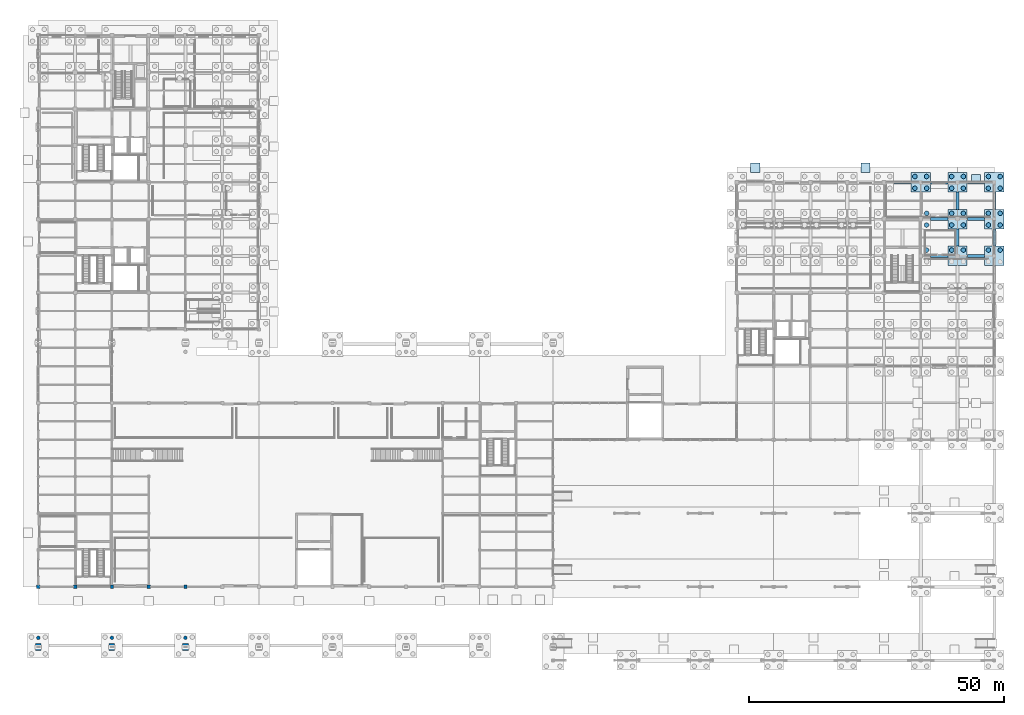
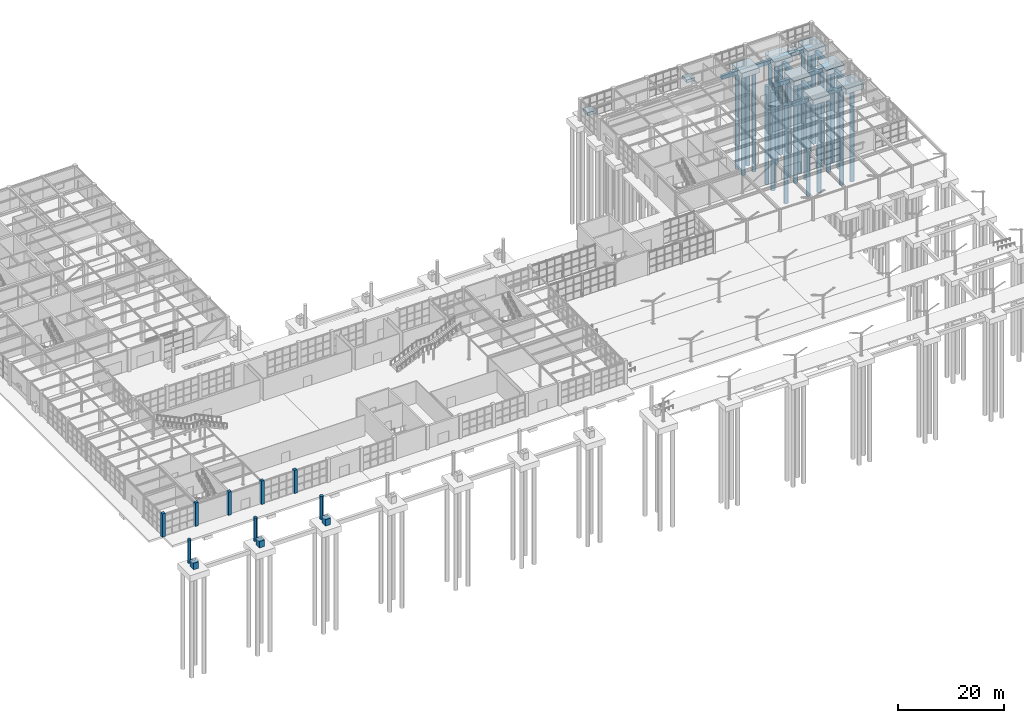
# One storey, part 4 of 75: 27 piles, 21 footings, 11 columns.
"""IFC4 building model written with IfcOpenShell, lengths in metres."""

from ifc_helpers import new_model, si_unit, direction, frame, origin, origin_2d, place, context, subcontext, project, spatial, rectangle, circle, extrude, material, material_profile, profile_set, type_object, element, save


model = new_model("IFC4")

# Units and contexts
model_context = context("Model", 3, precision=1e-05, world=origin(), true_north=direction((0.0, 1.0)))
body_context = subcontext(model_context, "Body", "Model", "MODEL_VIEW")
ifc_project = project(units=[si_unit("LENGTHUNIT", "METRE"), si_unit("AREAUNIT", "SQUARE_METRE"), si_unit("VOLUMEUNIT", "CUBIC_METRE"), si_unit("PLANEANGLEUNIT", "RADIAN"), si_unit("MASSUNIT", "GRAM", prefix="KILO")], contexts=[model_context])

# Site, building, storey
site_placement = place(None, origin())
site = spatial("IfcSite", under=ifc_project, at=site_placement, CompositionType="ELEMENT")
building_placement = place(site_placement, origin())
building = spatial("IfcBuilding", under=site, at=building_placement, Name="Leyfeld Transit Interchange", CompositionType="ELEMENT")
storey_placement = place(building_placement, origin())
storey = spatial("IfcBuildingStorey", under=building, at=storey_placement, Name="L00", CompositionType="ELEMENT", Elevation=0.0)

# Footings
ifc_material_1 = material(Name="Concrete C35/45", Category="concrete")
footing_type_1 = type_object("IfcFootingType", Name="FT-GB-500x800", PredefinedType="FOOTING_BEAM", material=ifc_material_1)
for number, where, z_axis, x_axis, name in (
    (1, (176.39990234375, 86.39990234375, -1.300048828125), (0.0, 0.0, 1.0), (1.0, 0.0, 0.0), "Ground Beam 079"),
    (2, (183.60009765625, 93.60009765625, -1.300048828125), (0.0, 0.0, 1.0), (1.0, 0.0, 0.0), "Ground Beam 105"),
):
    element("IfcFooting", number, at=place(storey_placement, frame(where, z_axis=z_axis, x_axis=x_axis)), inside=storey, type_object=footing_type_1, Name=name, PredefinedType="FOOTING_BEAM", context=body_context, shape_type="SweptSolid", body=[
        extrude(rectangle(XDim=3.3798828125, YDim=0.60009765625, at=origin_2d()), origin(), (0.0, 0.0, 1.0), 0.89990234375),
    ])
footing_type_2 = type_object("IfcFootingType", Name="FT-GB-600x900", PredefinedType="FOOTING_BEAM", material=ifc_material_1)
for number, where, z_axis, x_axis, name in (
    (3, (176.39990234375, 79.199951171875, -1.300048828125), (0.0, 0.0, 1.0), (1.0, 0.0, 0.0), "Ground Beam 078"),
    (4, (169.199951171875, 93.60009765625, -1.300048828125), (0.0, 0.0, 1.0), (1.0, 0.0, 0.0), "Ground Beam 080"),
    (5, (176.39990234375, 93.60009765625, -1.300048828125), (0.0, 0.0, 1.0), (1.0, 0.0, 0.0), "Ground Beam 092"),
):
    element("IfcFooting", number, at=place(storey_placement, frame(where, z_axis=z_axis, x_axis=x_axis)), inside=storey, type_object=footing_type_2, Name=name, PredefinedType="FOOTING_BEAM", context=body_context, shape_type="SweptSolid", body=[
        extrude(rectangle(XDim=3.3798828125, YDim=0.60009765625, at=origin_2d()), origin(), (0.0, 0.0, 1.0), 0.89990234375),
    ])
footing_1_placement = place(storey_placement, frame((180.0, 82.800048828125, -1.300048828125), z_axis=(0.0, 0.0, 1.0), x_axis=(1.0, 0.0, 0.0)))
element("IfcFooting", 6, at=footing_1_placement, inside=storey, type_object=footing_type_2, Name="Ground Beam 101", PredefinedType="FOOTING_BEAM", context=body_context, shape_type="SweptSolid", body=[
    extrude(rectangle(XDim=0.60009765625, YDim=3.3798828125, at=origin_2d()), origin(), (0.0, 0.0, 1.0), 0.89990234375),
])
footing_2_placement = place(storey_placement, frame((183.60009765625, 79.199951171875, -1.300048828125), z_axis=(0.0, 0.0, 1.0), x_axis=(1.0, 0.0, 0.0)))
element("IfcFooting", 7, at=footing_2_placement, inside=storey, type_object=footing_type_2, Name="Ground Beam 102", PredefinedType="FOOTING_BEAM", context=body_context, shape_type="SweptSolid", body=[
    extrude(rectangle(XDim=3.3798828125, YDim=0.60009765625, at=origin_2d()), origin(), (0.0, 0.0, 1.0), 0.89990234375),
])
footing_3_placement = place(storey_placement, frame((180.0, 90.0, -1.300048828125), z_axis=(0.0, 0.0, 1.0), x_axis=(1.0, 0.0, 0.0)))
element("IfcFooting", 8, at=footing_3_placement, inside=storey, type_object=footing_type_2, Name="Ground Beam 103", PredefinedType="FOOTING_BEAM", context=body_context, shape_type="SweptSolid", body=[
    extrude(rectangle(XDim=0.60009765625, YDim=3.3798828125, at=origin_2d()), origin(), (0.0, 0.0, 1.0), 0.89990234375),
])
footing_4_placement = place(storey_placement, frame((183.60009765625, 86.39990234375, -1.300048828125), z_axis=(0.0, 0.0, 1.0), x_axis=(1.0, 0.0, 0.0)))
element("IfcFooting", 9, at=footing_4_placement, inside=storey, type_object=footing_type_2, Name="Ground Beam 104", PredefinedType="FOOTING_BEAM", context=body_context, shape_type="SweptSolid", body=[
    extrude(rectangle(XDim=3.3798828125, YDim=0.60009765625, at=origin_2d()), origin(), (0.0, 0.0, 1.0), 0.89990234375),
])
for number, where, z_axis, x_axis, name in (
    (10, (187.199951171875, 82.800048828125, -1.300048828125), (0.0, 0.0, 1.0), (1.0, 0.0, 0.0), "Ground Beam 113"),
    (11, (187.199951171875, 90.0, -1.300048828125), (0.0, 0.0, 1.0), (1.0, 0.0, 0.0), "Ground Beam 114"),
):
    element("IfcFooting", number, at=place(storey_placement, frame(where, z_axis=z_axis, x_axis=x_axis)), inside=storey, type_object=footing_type_2, Name=name, PredefinedType="FOOTING_BEAM", context=body_context, shape_type="SweptSolid", body=[
        extrude(rectangle(XDim=0.60009765625, YDim=3.3798828125, at=origin_2d()), origin(), (0.0, 0.0, 1.0), 0.89990234375),
    ])
footing_type_3 = type_object("IfcFootingType", Name="FT-PAD-1800", PredefinedType="PAD_FOOTING", material=ifc_material_1)
for number, where, z_axis, x_axis, name in (
    (12, (140.39990234375, 96.449951171875, -1.14990234375), (0.0, 0.0, 1.0), (1.0, 0.0, 0.0), "Slab Support Pad Footing 047"),
    (13, (162.0, 96.449951171875, -1.14990234375), (0.0, 0.0, 1.0), (1.0, 0.0, 0.0), "Slab Support Pad Footing 048"),
    (14, (183.60009765625, 94.199951171875, -1.14990234375), (0.0, 0.0, 1.0), (1.0, 0.0, 0.0), "Slab Support Pad Footing 049"),
):
    element("IfcFooting", number, at=place(storey_placement, frame(where, z_axis=z_axis, x_axis=x_axis)), inside=storey, type_object=footing_type_3, Name=name, PredefinedType="PAD_FOOTING", context=body_context, shape_type="SweptSolid", body=[
        extrude(rectangle(XDim=1.800048828125, YDim=1.800048828125, at=origin_2d()), origin(), (0.0, 0.0, 1.0), 0.699951171875),
    ])
footing_type_4 = type_object("IfcFootingType", Name="FT-PC-3800x3800", PredefinedType="PILE_CAP", material=ifc_material_1)
for number, where, z_axis, x_axis, name in (
    (15, (172.800048828125, 93.60009765625, -1.2001953125), (0.0, 0.0, 1.0), (1.0, 0.0, 0.0), "Foundation FTG-L00-068"),
    (16, (180.0, 79.199951171875, -1.2001953125), (0.0, 0.0, 1.0), (1.0, 0.0, 0.0), "Foundation FTG-L00-073"),
    (17, (180.0, 86.39990234375, -1.2001953125), (0.0, 0.0, 1.0), (1.0, 0.0, 0.0), "Foundation FTG-L00-074"),
    (18, (180.0, 93.60009765625, -1.2001953125), (0.0, 0.0, 1.0), (1.0, 0.0, 0.0), "Foundation FTG-L00-075"),
    (19, (187.199951171875, 79.199951171875, -1.2001953125), (0.0, 0.0, 1.0), (1.0, 0.0, 0.0), "Foundation FTG-L00-083"),
    (20, (187.199951171875, 86.39990234375, -1.2001953125), (0.0, 0.0, 1.0), (1.0, 0.0, 0.0), "Foundation FTG-L00-084"),
    (21, (187.199951171875, 93.60009765625, -1.2001953125), (0.0, 0.0, 1.0), (1.0, 0.0, 0.0), "Foundation FTG-L00-085"),
):
    element("IfcFooting", number, at=place(storey_placement, frame(where, z_axis=z_axis, x_axis=x_axis)), inside=storey, type_object=footing_type_4, Name=name, PredefinedType="PILE_CAP", context=body_context, shape_type="SweptSolid", body=[
        extrude(rectangle(XDim=3.800048828125, YDim=3.800048828125, at=origin_2d()), origin(), (0.0, 0.0, 1.0), 1.199951171875),
    ])

# Piles
ifc_material_profile_1 = material_profile(ifc_material_1, circle(Radius=0.449951171875, at=origin_2d()), Name="PILE D900")
ifc_profile_set_1 = profile_set([ifc_material_profile_1], Name="Concrete C35/45")
pile_type = type_object("IfcPileType", Name="PILE-PL-900", PredefinedType="BORED", material=ifc_profile_set_1)
for number, where, z_axis, x_axis, name in (
    (22, (173.949951171875, 80.35009765625, -1.25), (0.0, 0.0, -1.0), (1.0, 0.0, 0.0), "Cap Bored Pile 0402"),
    (23, (173.949951171875, 85.25, -1.25), (0.0, 0.0, -1.0), (1.0, 0.0, 0.0), "Cap Bored Pile 0405"),
    (24, (173.949951171875, 87.550048828125, -1.25), (0.0, 0.0, -1.0), (1.0, 0.0, 0.0), "Cap Bored Pile 0406"),
):
    element("IfcPile", number, at=place(storey_placement, frame(where, z_axis=z_axis, x_axis=x_axis)), inside=storey, type_object=pile_type, Name=name, PredefinedType="BORED", context=body_context, shape_type="SweptSolid", body=[
        extrude(circle(Radius=0.449951171875, at=origin_2d()), origin(), (0.0, 0.0, 1.0), 22.75),
    ])
for number, where, z_axis, x_axis, name in (
    (25, (171.64990234375, 92.449951171875, -1.050048828125), (0.0, 0.0, -1.0), (1.0, 0.0, 0.0), "Cap Bored Pile 0435"),
    (26, (171.64990234375, 94.75, -1.050048828125), (0.0, 0.0, -1.0), (1.0, 0.0, 0.0), "Cap Bored Pile 0436"),
    (27, (173.949951171875, 92.449951171875, -1.050048828125), (0.0, 0.0, -1.0), (1.0, 0.0, 0.0), "Cap Bored Pile 0437"),
    (28, (173.949951171875, 94.75, -1.050048828125), (0.0, 0.0, -1.0), (1.0, 0.0, 0.0), "Cap Bored Pile 0438"),
    (29, (178.85009765625, 80.35009765625, -1.050048828125), (0.0, 0.0, -1.0), (1.0, 0.0, 0.0), "Cap Bored Pile 0456"),
    (30, (181.14990234375, 80.35009765625, -1.050048828125), (0.0, 0.0, -1.0), (1.0, 0.0, 0.0), "Cap Bored Pile 0458"),
    (31, (178.85009765625, 85.25, -1.050048828125), (0.0, 0.0, -1.0), (1.0, 0.0, 0.0), "Cap Bored Pile 0459"),
    (32, (178.85009765625, 87.550048828125, -1.050048828125), (0.0, 0.0, -1.0), (1.0, 0.0, 0.0), "Cap Bored Pile 0460"),
    (33, (181.14990234375, 85.25, -1.050048828125), (0.0, 0.0, -1.0), (1.0, 0.0, 0.0), "Cap Bored Pile 0461"),
    (34, (181.14990234375, 87.550048828125, -1.050048828125), (0.0, 0.0, -1.0), (1.0, 0.0, 0.0), "Cap Bored Pile 0462"),
    (35, (178.85009765625, 92.449951171875, -1.050048828125), (0.0, 0.0, -1.0), (1.0, 0.0, 0.0), "Cap Bored Pile 0463"),
    (36, (178.85009765625, 94.75, -1.050048828125), (0.0, 0.0, -1.0), (1.0, 0.0, 0.0), "Cap Bored Pile 0464"),
    (37, (181.14990234375, 92.449951171875, -1.050048828125), (0.0, 0.0, -1.0), (1.0, 0.0, 0.0), "Cap Bored Pile 0465"),
    (38, (181.14990234375, 94.75, -1.050048828125), (0.0, 0.0, -1.0), (1.0, 0.0, 0.0), "Cap Bored Pile 0466"),
    (39, (186.050048828125, 80.35009765625, -1.050048828125), (0.0, 0.0, -1.0), (1.0, 0.0, 0.0), "Cap Bored Pile 0496"),
    (40, (188.35009765625, 80.35009765625, -1.050048828125), (0.0, 0.0, -1.0), (1.0, 0.0, 0.0), "Cap Bored Pile 0498"),
    (41, (186.050048828125, 85.25, -1.050048828125), (0.0, 0.0, -1.0), (1.0, 0.0, 0.0), "Cap Bored Pile 0499"),
    (42, (186.050048828125, 87.550048828125, -1.050048828125), (0.0, 0.0, -1.0), (1.0, 0.0, 0.0), "Cap Bored Pile 0500"),
    (43, (188.35009765625, 85.25, -1.050048828125), (0.0, 0.0, -1.0), (1.0, 0.0, 0.0), "Cap Bored Pile 0501"),
    (44, (188.35009765625, 87.550048828125, -1.050048828125), (0.0, 0.0, -1.0), (1.0, 0.0, 0.0), "Cap Bored Pile 0502"),
    (45, (186.050048828125, 92.449951171875, -1.050048828125), (0.0, 0.0, -1.0), (1.0, 0.0, 0.0), "Cap Bored Pile 0503"),
    (46, (186.050048828125, 94.75, -1.050048828125), (0.0, 0.0, -1.0), (1.0, 0.0, 0.0), "Cap Bored Pile 0504"),
    (47, (188.35009765625, 92.449951171875, -1.050048828125), (0.0, 0.0, -1.0), (1.0, 0.0, 0.0), "Cap Bored Pile 0505"),
    (48, (188.35009765625, 94.75, -1.050048828125), (0.0, 0.0, -1.0), (1.0, 0.0, 0.0), "Cap Bored Pile 0506"),
):
    element("IfcPile", number, at=place(storey_placement, frame(where, z_axis=z_axis, x_axis=x_axis)), inside=storey, type_object=pile_type, Name=name, PredefinedType="BORED", context=body_context, shape_type="SweptSolid", body=[
        extrude(circle(Radius=0.449951171875, at=origin_2d()), origin(), (0.0, 0.0, 1.0), 22.949951171875),
    ])

# Columns
ifc_material_2 = material(Name="Concrete C40/50", Category="concrete")
ifc_material_profile_2 = material_profile(ifc_material_2, rectangle(XDim=1.10009765625, YDim=1.39990234375, at=origin_2d()), Name="RC 1400x1100")
ifc_profile_set_2 = profile_set([ifc_material_profile_2], Name="Concrete C40/50")
column_type_1 = type_object("IfcColumnType", Name="COL-BUTT-1400", PredefinedType="COLUMN", material=ifc_profile_set_2)
for number, where, z_axis, x_axis, name in (
    (49, (0.0, 2.60009765625, 0.0), (0.0, 0.0, 1.0), (1.0, 0.0, 0.0), "Column COL-L00-0000_0026"),
    (50, (14.39990234375, 2.60009765625, 0.0), (0.0, 0.0, 1.0), (1.0, 0.0, 0.0), "Column COL-L00-0144_0026"),
    (51, (28.800048828125, 2.60009765625, 0.0), (0.0, 0.0, 1.0), (1.0, 0.0, 0.0), "Column COL-L00-0288_0026"),
):
    element("IfcColumn", number, at=place(storey_placement, frame(where, z_axis=z_axis, x_axis=x_axis)), inside=storey, type_object=column_type_1, Name=name, PredefinedType="COLUMN", context=body_context, shape_type="SweptSolid", body=[
        extrude(rectangle(XDim=1.10009765625, YDim=1.39990234375, at=origin_2d()), origin(), (0.0, 0.0, 1.0), 1.5),
    ])
ifc_material_profile_3 = material_profile(ifc_material_1, rectangle(XDim=0.64990234375, YDim=0.64990234375, at=origin_2d()), Name="RC 650x650")
ifc_profile_set_3 = profile_set([ifc_material_profile_3], Name="Concrete C35/45")
column_type_2 = type_object("IfcColumnType", Name="COL-RC-650", PredefinedType="COLUMN", material=ifc_profile_set_3)
for number, where, z_axis, x_axis, name in (
    (52, (0.0, 14.39990234375, 0.0), (0.0, 0.0, 1.0), (1.0, 0.0, 0.0), "Column COL-L00-0000_0144"),
    (53, (7.199951171875, 14.39990234375, 0.0), (0.0, 0.0, 1.0), (1.0, 0.0, 0.0), "Column COL-L00-0072_0144"),
    (54, (14.39990234375, 14.39990234375, 0.0), (0.0, 0.0, 1.0), (1.0, 0.0, 0.0), "Column COL-L00-0144_0144"),
    (55, (21.60009765625, 14.39990234375, 0.0), (0.0, 0.0, 1.0), (1.0, 0.0, 0.0), "Column COL-L00-0216_0144"),
    (56, (28.800048828125, 14.39990234375, 0.0), (0.0, 0.0, 1.0), (1.0, 0.0, 0.0), "Column COL-L00-0288_0144"),
):
    element("IfcColumn", number, at=place(storey_placement, frame(where, z_axis=z_axis, x_axis=x_axis)), inside=storey, type_object=column_type_2, Name=name, PredefinedType="COLUMN", context=body_context, shape_type="SweptSolid", body=[
        extrude(rectangle(XDim=0.64990234375, YDim=0.64990234375, at=origin_2d()), origin(), (0.0, 0.0, 1.0), 5.39990234375),
    ])
ifc_material_profile_4 = material_profile(ifc_material_1, circle(Radius=0.35009765625, at=origin_2d()), Name="RC D700")
ifc_profile_set_4 = profile_set([ifc_material_profile_4], Name="Concrete C35/45")
column_type_3 = type_object("IfcColumnType", Name="COL-RC-D700", PredefinedType="COLUMN", material=ifc_profile_set_4)
for number, where, z_axis, x_axis, name in (
    (57, (0.0, 4.39990234375, 0.0), (0.0, 0.0, 1.0), (1.0, 0.0, 0.0), "Column COL-L00-0000_0044"),
    (58, (14.39990234375, 4.39990234375, 0.0), (0.0, 0.0, 1.0), (1.0, 0.0, 0.0), "Column COL-L00-0144_0044"),
    (59, (28.800048828125, 4.39990234375, 0.0), (0.0, 0.0, 1.0), (1.0, 0.0, 0.0), "Column COL-L00-0288_0044"),
):
    element("IfcColumn", number, at=place(storey_placement, frame(where, z_axis=z_axis, x_axis=x_axis)), inside=storey, type_object=column_type_3, Name=name, PredefinedType="COLUMN", context=body_context, shape_type="SweptSolid", body=[
        extrude(circle(Radius=0.35009765625, at=origin_2d()), origin(), (0.0, 0.0, 1.0), 5.39990234375),
    ])

save(model, "model.ifc")
